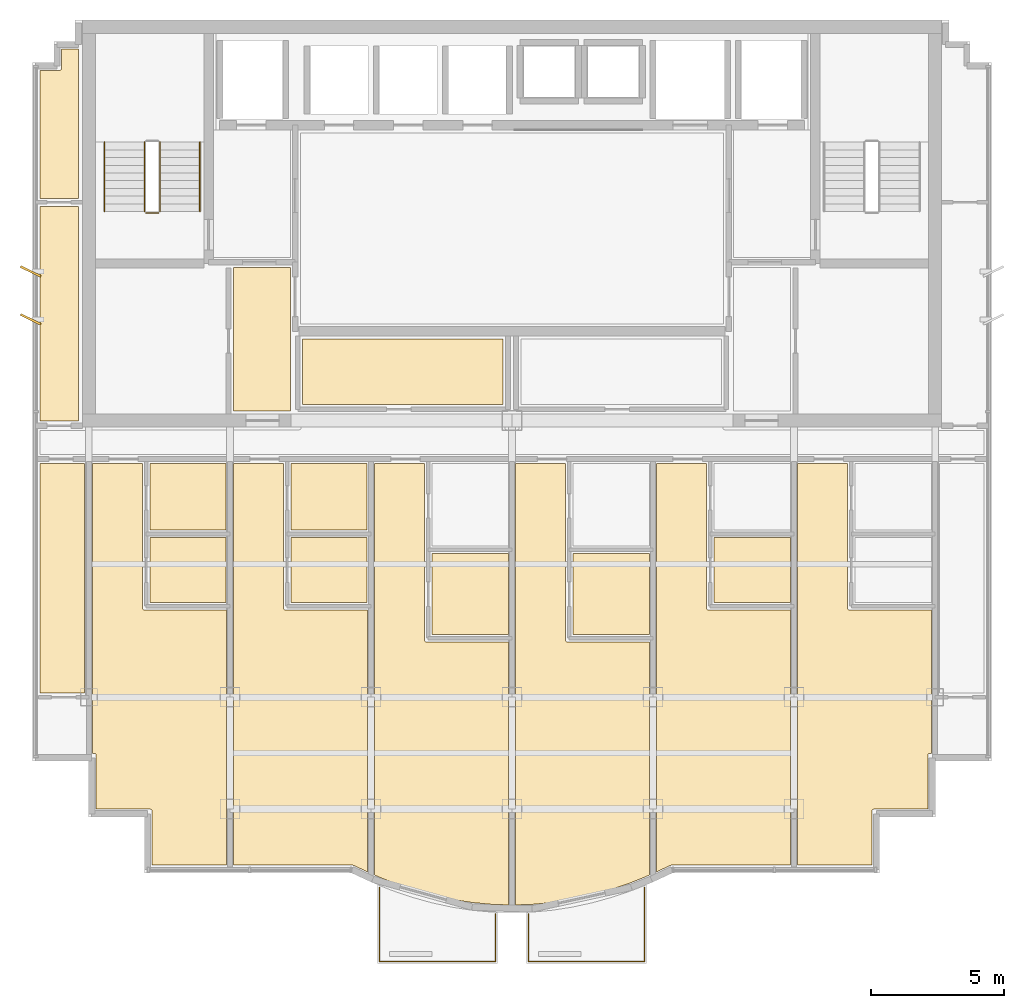
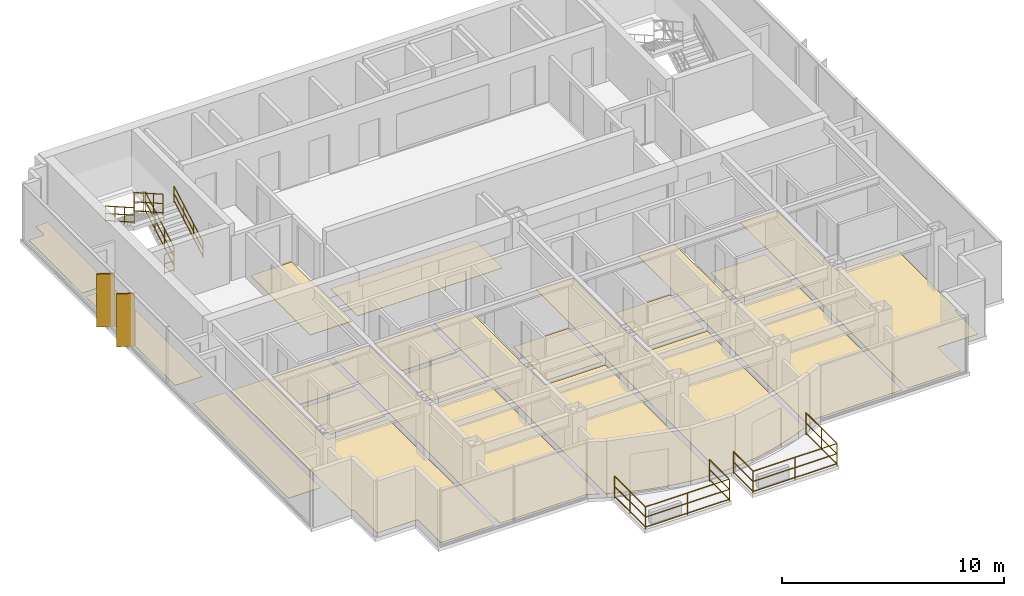
# One storey, part 9 of 10: 18 coverings, 7 railings, 2 shading devices.
"""IFC4 building model written with IfcOpenShell, lengths in metres."""

from ifc_helpers import new_model, si_unit, direction, frame, origin, origin_2d, place, context, subcontext, project, spatial, polyline, rectangle, circle, outline, extrude, source, transform, mapped, material, layer, layer_set, type_object, element, save


model = new_model("IFC4")

# Units and contexts
model_context = context("Model", 3, precision=1e-05, world=origin(), true_north=direction((0.0, 1.0)))
body_context = subcontext(model_context, "Body", "Model", "MODEL_VIEW")
ifc_project = project(units=[si_unit("LENGTHUNIT", "METRE"), si_unit("AREAUNIT", "SQUARE_METRE"), si_unit("VOLUMEUNIT", "CUBIC_METRE"), si_unit("PLANEANGLEUNIT", "RADIAN"), si_unit("MASSUNIT", "GRAM", prefix="KILO")], contexts=[model_context])

# Site, building, storey
site_placement = place(None, origin())
site = spatial("IfcSite", under=ifc_project, at=site_placement, CompositionType="ELEMENT")
building_placement = place(site_placement, origin())
building = spatial("IfcBuilding", under=site, at=building_placement, Name="Qianlan Lanfeng Residences", CompositionType="ELEMENT")
storey_placement = place(building_placement, frame((0.0, 0.0, 236.300048828125)))
storey = spatial("IfcBuildingStorey", under=building, at=storey_placement, Name="L65", CompositionType="ELEMENT", Elevation=236.300048828125)

# Coverings
ifc_material_1 = material(Name="Honed Taitung Granite Stone Flooring", Category="masonry")
ifc_layer_1 = layer(ifc_material_1, 0.030029296875)
ifc_layer_set_1 = layer_set([ifc_layer_1], Name="Honed Taitung Granite Stone Flooring")
covering_type_1 = type_object("IfcCoveringType", Name="FLR-STN-30", PredefinedType="FLOORING", material=ifc_layer_set_1)
covering_1_placement = place(storey_placement, origin())
element("IfcCovering", 1, at=covering_1_placement, inside=storey, type_object=covering_type_1, Name="L65 Lift Lobby Floor Finish", PredefinedType="FLOORING", context=body_context, shape_type="SweptSolid", body=[
    extrude(outline(polyline([(16.030029296875, 25.56005859375), (18.169921875, 25.56005859375), (18.169921875, 30.949951171875), (16.030029296875, 30.949951171875), (16.030029296875, 25.56005859375)])), origin(), (0.0, 0.0, 1.0), 0.030029296875),
])
ifc_material_2 = material(Name="Slip-Resistant Porcelain Tile Flooring")
ifc_layer_2 = layer(ifc_material_2, 0.02001953125)
ifc_layer_set_2 = layer_set([ifc_layer_2], Name="Slip-Resistant Porcelain Tile Flooring")
covering_type_2 = type_object("IfcCoveringType", Name="FLR-TIL-20", PredefinedType="FLOORING", material=ifc_layer_set_2)
covering_2_placement = place(storey_placement, origin())
element("IfcCovering", 2, at=covering_2_placement, inside=storey, type_object=covering_type_2, Name="L65 Kitchen Floor Finish", PredefinedType="FLOORING", context=body_context, shape_type="SweptSolid", body=[
    extrude(outline(polyline([(12.889892578125, 18.360107421875), (15.760009765625, 18.360107421875), (15.760009765625, 20.794921875), (12.889892578125, 20.794921875), (12.889892578125, 18.360107421875)])), origin(), (0.0, 0.0, 1.0), 0.02001953125),
])
covering_3_placement = place(storey_placement, origin())
element("IfcCovering", 3, at=covering_3_placement, inside=storey, type_object=covering_type_2, Name="L65 Bathroom Floor Finish", PredefinedType="FLOORING", context=body_context, shape_type="SweptSolid", body=[
    extrude(outline(polyline([(12.889892578125, 21.074951171875), (15.760009765625, 21.074951171875), (15.760009765625, 23.580078125), (12.889892578125, 23.580078125), (12.889892578125, 21.074951171875)])), origin(), (0.0, 0.0, 1.0), 0.02001953125),
])
covering_4_placement = place(storey_placement, origin())
element("IfcCovering", 4, at=covering_4_placement, inside=storey, type_object=covering_type_2, Name="L65 Kitchen Floor Finish", PredefinedType="FLOORING", context=body_context, shape_type="SweptSolid", body=[
    extrude(outline(polyline([(18.18994140625, 18.360107421875), (21.06005859375, 18.360107421875), (21.06005859375, 20.794921875), (18.18994140625, 20.794921875), (18.18994140625, 18.360107421875)])), origin(), (0.0, 0.0, 1.0), 0.02001953125),
])
covering_5_placement = place(storey_placement, origin())
element("IfcCovering", 5, at=covering_5_placement, inside=storey, type_object=covering_type_2, Name="L65 Bathroom Floor Finish", PredefinedType="FLOORING", context=body_context, shape_type="SweptSolid", body=[
    extrude(outline(polyline([(18.18994140625, 21.074951171875), (21.06005859375, 21.074951171875), (21.06005859375, 23.580078125), (18.18994140625, 23.580078125), (18.18994140625, 21.074951171875)])), origin(), (0.0, 0.0, 1.0), 0.02001953125),
])
covering_6_placement = place(storey_placement, origin())
element("IfcCovering", 6, at=covering_6_placement, inside=storey, type_object=covering_type_2, Name="L65 Kitchen Floor Finish", PredefinedType="FLOORING", context=body_context, shape_type="SweptSolid", body=[
    extrude(outline(polyline([(23.489990234375, 17.159912109375), (26.360107421875, 17.159912109375), (26.360107421875, 20.195068359375), (23.489990234375, 20.195068359375), (23.489990234375, 17.159912109375)])), origin(), (0.0, 0.0, 1.0), 0.02001953125),
])
covering_7_placement = place(storey_placement, origin())
element("IfcCovering", 7, at=covering_7_placement, inside=storey, type_object=covering_type_2, Name="L65 Kitchen Floor Finish", PredefinedType="FLOORING", context=body_context, shape_type="SweptSolid", body=[
    extrude(outline(polyline([(28.7900390625, 17.159912109375), (31.659912109375, 17.159912109375), (31.659912109375, 20.195068359375), (28.7900390625, 20.195068359375), (28.7900390625, 17.159912109375)])), origin(), (0.0, 0.0, 1.0), 0.02001953125),
])
covering_8_placement = place(storey_placement, origin())
element("IfcCovering", 8, at=covering_8_placement, inside=storey, type_object=covering_type_2, Name="L65 Kitchen Floor Finish", PredefinedType="FLOORING", context=body_context, shape_type="SweptSolid", body=[
    extrude(outline(polyline([(34.090087890625, 18.360107421875), (36.9599609375, 18.360107421875), (36.9599609375, 20.794921875), (34.090087890625, 20.794921875), (34.090087890625, 18.360107421875)])), origin(), (0.0, 0.0, 1.0), 0.02001953125),
])
ifc_material_3 = material(Name="Engineered Smoked Oak Timber Flooring", Category="wood")
ifc_layer_3 = layer(ifc_material_3, 0.02197265625)
ifc_layer_set_3 = layer_set([ifc_layer_3], Name="Engineered Smoked Oak Timber Flooring")
covering_type_3 = type_object("IfcCoveringType", Name="FLR-TIM-22", PredefinedType="FLOORING", material=ifc_layer_set_3)
covering_9_placement = place(storey_placement, origin())
element("IfcCovering", 9, at=covering_9_placement, inside=storey, type_object=covering_type_3, Name="L65 Resident Reading Lounge Floor Finish", PredefinedType="FLOORING", context=body_context, shape_type="SweptSolid", body=[
    extrude(outline(polyline([(18.6298828125, 25.800048828125), (26.169921875, 25.800048828125), (26.169921875, 28.2548828125), (18.6298828125, 28.2548828125), (18.6298828125, 25.800048828125)])), origin(), (0.0, 0.0, 1.0), 0.02197265625),
])
covering_10_placement = place(storey_placement, origin())
element("IfcCovering", 10, at=covering_10_placement, inside=storey, type_object=covering_type_3, Name="L65 Studio Living Room Floor Finish", PredefinedType="FLOORING", context=body_context, shape_type="SweptSolid", body=[
    extrude(outline(polyline([(15.77001953125, 8.489990234375), (15.77001953125, 18.080078125), (12.679931640625, 18.080078125), (12.673095703125, 18.080078125), (12.666015625, 18.0810546875), (12.659912109375, 18.0830078125), (12.653076171875, 18.0849609375), (12.64697265625, 18.087890625), (12.64111328125, 18.092041015625), (12.635986328125, 18.095947265625), (12.631103515625, 18.10107421875), (12.6259765625, 18.10595703125), (12.6220703125, 18.111083984375), (12.617919921875, 18.116943359375), (12.614990234375, 18.123046875), (12.613037109375, 18.1298828125), (12.611083984375, 18.135986328125), (12.610107421875, 18.14306640625), (12.610107421875, 18.14990234375), (12.610107421875, 23.580078125), (10.72998046875, 23.580078125), (10.72998046875, 12.68994140625), (10.800048828125, 12.68994140625), (10.806884765625, 12.68994140625), (10.81396484375, 12.68896484375), (10.820068359375, 12.68701171875), (10.826904296875, 12.68505859375), (10.8330078125, 12.681884765625), (10.839111328125, 12.677978515625), (10.843994140625, 12.674072265625), (10.84912109375, 12.6689453125), (10.85400390625, 12.6640625), (10.85791015625, 12.658935546875), (10.862060546875, 12.653076171875), (10.864990234375, 12.64697265625), (10.866943359375, 12.639892578125), (10.868896484375, 12.634033203125), (10.8701171875, 12.626953125), (10.8701171875, 12.6201171875), (10.8701171875, 10.590087890625), (12.89990234375, 10.590087890625), (12.906982421875, 10.590087890625), (12.9140625, 10.589111328125), (12.919921875, 10.5869140625), (12.927001953125, 10.5849609375), (12.93310546875, 10.58203125), (12.93896484375, 10.577880859375), (12.944091796875, 10.573974609375), (12.948974609375, 10.569091796875), (12.9541015625, 10.56396484375), (12.9580078125, 10.55908203125), (12.9619140625, 10.552978515625), (12.965087890625, 10.547119140625), (12.967041015625, 10.5400390625), (12.968994140625, 10.533935546875), (12.969970703125, 10.527099609375), (12.969970703125, 10.52001953125), (12.969970703125, 8.489990234375), (15.77001953125, 8.489990234375)])), origin(), (0.0, 0.0, 1.0), 0.02197265625),
])
covering_11_placement = place(storey_placement, origin())
element("IfcCovering", 11, at=covering_11_placement, inside=storey, type_object=covering_type_3, Name="L65 Studio Living Room Floor Finish", PredefinedType="FLOORING", context=body_context, shape_type="SweptSolid", body=[
    extrude(outline(polyline([(21.070068359375, 8.236083984375), (21.070068359375, 18.080078125), (17.97998046875, 18.080078125), (17.972900390625, 18.080078125), (17.966064453125, 18.0810546875), (17.9599609375, 18.0830078125), (17.952880859375, 18.0849609375), (17.947021484375, 18.087890625), (17.94091796875, 18.092041015625), (17.93603515625, 18.095947265625), (17.930908203125, 18.10107421875), (17.926025390625, 18.10595703125), (17.922119140625, 18.111083984375), (17.91796875, 18.116943359375), (17.9150390625, 18.123046875), (17.9130859375, 18.1298828125), (17.910888671875, 18.135986328125), (17.909912109375, 18.14306640625), (17.909912109375, 18.14990234375), (17.909912109375, 23.580078125), (16.030029296875, 23.580078125), (16.030029296875, 8.489990234375), (20.509033203125, 8.489990234375), (20.51611328125, 8.489990234375), (20.52392578125, 8.488037109375), (20.531005859375, 8.486083984375), (20.5380859375, 8.48291015625), (21.070068359375, 8.236083984375)])), origin(), (0.0, 0.0, 1.0), 0.02197265625),
])
covering_12_placement = place(storey_placement, origin())
element("IfcCovering", 12, at=covering_12_placement, inside=storey, type_object=covering_type_3, Name="L65 Studio Living Room Floor Finish", PredefinedType="FLOORING", context=body_context, shape_type="SweptSolid", body=[
    extrude(outline(polyline([(26.3701171875, 6.993896484375), (26.3701171875, 16.8798828125), (23.280029296875, 16.8798828125), (23.27294921875, 16.8798828125), (23.26611328125, 16.881103515625), (23.260009765625, 16.883056640625), (23.2529296875, 16.885009765625), (23.2470703125, 16.887939453125), (23.240966796875, 16.89208984375), (23.236083984375, 16.89599609375), (23.23095703125, 16.90087890625), (23.22607421875, 16.906005859375), (23.221923828125, 16.910888671875), (23.218017578125, 16.9169921875), (23.215087890625, 16.923095703125), (23.212890625, 16.929931640625), (23.2109375, 16.93603515625), (23.2099609375, 16.943115234375), (23.2099609375, 16.949951171875), (23.2099609375, 23.580078125), (21.330078125, 23.580078125), (21.330078125, 8.114013671875), (21.3310546875, 8.114013671875), (22.071044921875, 7.81591796875), (22.81103515625, 7.56298828125), (23.550048828125, 7.35693359375), (24.2880859375, 7.196044921875), (25.02587890625, 7.08203125), (25.762939453125, 7.012939453125), (26.3701171875, 6.993896484375)])), origin(), (0.0, 0.0, 1.0), 0.02197265625),
])
covering_13_placement = place(storey_placement, origin())
element("IfcCovering", 13, at=covering_13_placement, inside=storey, type_object=covering_type_3, Name="L65 Studio Living Room Floor Finish", PredefinedType="FLOORING", context=body_context, shape_type="SweptSolid", body=[
    extrude(outline(polyline([(31.669921875, 8.114013671875), (31.669921875, 16.8798828125), (28.580078125, 16.8798828125), (28.572998046875, 16.8798828125), (28.56591796875, 16.881103515625), (28.56005859375, 16.883056640625), (28.552978515625, 16.885009765625), (28.547119140625, 16.887939453125), (28.541015625, 16.89208984375), (28.535888671875, 16.89599609375), (28.531005859375, 16.90087890625), (28.52587890625, 16.906005859375), (28.52197265625, 16.910888671875), (28.51806640625, 16.9169921875), (28.514892578125, 16.923095703125), (28.512939453125, 16.929931640625), (28.510986328125, 16.93603515625), (28.510009765625, 16.943115234375), (28.510009765625, 16.949951171875), (28.510009765625, 23.580078125), (26.6298828125, 23.580078125), (26.6298828125, 6.993896484375), (27.237060546875, 7.012939453125), (27.97412109375, 7.08203125), (28.7119140625, 7.196044921875), (29.449951171875, 7.35693359375), (30.18896484375, 7.56298828125), (30.928955078125, 7.81591796875), (31.6689453125, 8.114013671875), (31.669921875, 8.114013671875)])), origin(), (0.0, 0.0, 1.0), 0.02197265625),
])
covering_14_placement = place(storey_placement, origin())
element("IfcCovering", 14, at=covering_14_placement, inside=storey, type_object=covering_type_3, Name="L65 Studio Living Room Floor Finish", PredefinedType="FLOORING", context=body_context, shape_type="SweptSolid", body=[
    extrude(outline(polyline([(36.969970703125, 8.489990234375), (36.969970703125, 18.080078125), (33.8798828125, 18.080078125), (33.873046875, 18.080078125), (33.865966796875, 18.0810546875), (33.860107421875, 18.0830078125), (33.85302734375, 18.0849609375), (33.846923828125, 18.087890625), (33.841064453125, 18.092041015625), (33.8359375, 18.095947265625), (33.8310546875, 18.10107421875), (33.825927734375, 18.10595703125), (33.822021484375, 18.111083984375), (33.818115234375, 18.116943359375), (33.81494140625, 18.123046875), (33.81298828125, 18.1298828125), (33.81103515625, 18.135986328125), (33.81005859375, 18.14306640625), (33.81005859375, 18.14990234375), (33.81005859375, 23.580078125), (31.929931640625, 23.580078125), (31.929931640625, 8.236083984375), (32.4619140625, 8.48291015625), (32.468994140625, 8.486083984375), (32.47607421875, 8.488037109375), (32.48388671875, 8.489990234375), (32.490966796875, 8.489990234375), (36.969970703125, 8.489990234375)])), origin(), (0.0, 0.0, 1.0), 0.02197265625),
])
covering_15_placement = place(storey_placement, origin())
element("IfcCovering", 15, at=covering_15_placement, inside=storey, type_object=covering_type_3, Name="L65 Studio Living Room Floor Finish", PredefinedType="FLOORING", context=body_context, shape_type="SweptSolid", body=[
    extrude(outline(polyline([(42.27001953125, 12.68994140625), (42.27001953125, 18.080078125), (39.179931640625, 18.080078125), (39.173095703125, 18.080078125), (39.166015625, 18.0810546875), (39.159912109375, 18.0830078125), (39.153076171875, 18.0849609375), (39.14697265625, 18.087890625), (39.14111328125, 18.092041015625), (39.135986328125, 18.095947265625), (39.131103515625, 18.10107421875), (39.1259765625, 18.10595703125), (39.1220703125, 18.111083984375), (39.117919921875, 18.116943359375), (39.114990234375, 18.123046875), (39.113037109375, 18.1298828125), (39.111083984375, 18.135986328125), (39.110107421875, 18.14306640625), (39.110107421875, 18.14990234375), (39.110107421875, 23.580078125), (37.22998046875, 23.580078125), (37.22998046875, 8.489990234375), (40.030029296875, 8.489990234375), (40.030029296875, 10.52001953125), (40.030029296875, 10.527099609375), (40.031005859375, 10.533935546875), (40.032958984375, 10.5400390625), (40.034912109375, 10.547119140625), (40.0380859375, 10.552978515625), (40.0419921875, 10.55908203125), (40.0458984375, 10.56396484375), (40.051025390625, 10.569091796875), (40.055908203125, 10.573974609375), (40.06103515625, 10.577880859375), (40.06689453125, 10.58203125), (40.072998046875, 10.5849609375), (40.080078125, 10.5869140625), (40.0859375, 10.589111328125), (40.093017578125, 10.590087890625), (40.10009765625, 10.590087890625), (42.1298828125, 10.590087890625), (42.1298828125, 12.6201171875), (42.1298828125, 12.626953125), (42.131103515625, 12.634033203125), (42.133056640625, 12.639892578125), (42.135009765625, 12.64697265625), (42.137939453125, 12.653076171875), (42.14208984375, 12.658935546875), (42.14599609375, 12.6640625), (42.15087890625, 12.6689453125), (42.156005859375, 12.674072265625), (42.160888671875, 12.677978515625), (42.1669921875, 12.681884765625), (42.173095703125, 12.68505859375), (42.179931640625, 12.68701171875), (42.18603515625, 12.68896484375), (42.193115234375, 12.68994140625), (42.199951171875, 12.68994140625), (42.27001953125, 12.68994140625)])), origin(), (0.0, 0.0, 1.0), 0.02197265625),
])
covering_16_placement = place(storey_placement, origin())
element("IfcCovering", 16, at=covering_16_placement, inside=storey, type_object=covering_type_3, Name="L65 Family Sitting Room Floor Finish", PredefinedType="FLOORING", context=body_context, shape_type="SweptSolid", body=[
    extrude(outline(polyline([(10.43994140625, 23.580078125), (8.77001953125, 23.580078125), (8.77001953125, 14.949951171875), (10.43994140625, 14.949951171875), (10.43994140625, 23.580078125)])), origin(), (0.0, 0.0, 1.0), 0.02197265625),
])
covering_17_placement = place(storey_placement, origin())
element("IfcCovering", 17, at=covering_17_placement, inside=storey, type_object=covering_type_3, Name="L65 Business Meeting Room Floor Finish", PredefinedType="FLOORING", context=body_context, shape_type="SweptSolid", body=[
    extrude(outline(polyline([(10.199951171875, 33.25), (8.77001953125, 33.25), (8.77001953125, 25.179931640625), (10.199951171875, 25.179931640625), (10.199951171875, 33.25)])), origin(), (0.0, 0.0, 1.0), 0.02197265625),
])
covering_18_placement = place(storey_placement, origin())
element("IfcCovering", 18, at=covering_18_placement, inside=storey, type_object=covering_type_3, Name="L65 Resident Lounge Floor Finish", PredefinedType="FLOORING", context=body_context, shape_type="SweptSolid", body=[
    extrude(outline(polyline([(8.77001953125, 33.550048828125), (10.199951171875, 33.550048828125), (10.199951171875, 39.159912109375), (9.570068359375, 39.159912109375), (9.570068359375, 38.429931640625), (9.570068359375, 38.423095703125), (9.569091796875, 38.416015625), (9.56689453125, 38.409912109375), (9.56494140625, 38.403076171875), (9.56201171875, 38.39697265625), (9.55810546875, 38.39111328125), (9.553955078125, 38.385986328125), (9.549072265625, 38.381103515625), (9.5439453125, 38.3759765625), (9.5390625, 38.3720703125), (9.532958984375, 38.367919921875), (9.527099609375, 38.364990234375), (9.52001953125, 38.363037109375), (9.513916015625, 38.361083984375), (9.507080078125, 38.360107421875), (9.5, 38.360107421875), (8.77001953125, 38.360107421875), (8.77001953125, 33.550048828125)])), origin(), (0.0, 0.0, 1.0), 0.02197265625),
])

# Railings
ifc_material_4 = material(Name="Anodised Bronze Aluminium and Laminated Glass Guard Balustrade", Category="aluminium")
railing_type_1 = type_object("IfcRailingType", Name="GR-EXT-1220", PredefinedType="BALUSTRADE", material=ifc_material_4)
railing_1_placement = place(storey_placement, frame((25.8798828125, 6.64892578125, 0.0)))
element("IfcRailing", 19, at=railing_1_placement, inside=storey, type_object=railing_type_1, Name="L65 Terrace Safety Guard GR-L65-SB-W", PredefinedType="BALUSTRADE", context=body_context, shape_type="SweptSolid", body=[
    extrude(circle(Radius=0.02490234375, at=origin_2d()), frame((0.0, 0.0, 0.0849609375), z_axis=(0.0, -1.0, 0.0), x_axis=(1.0, 0.0, 0.0)), (0.0, 0.0, 1.0), 1.77880859375),
    extrude(circle(Radius=0.02490234375, at=origin_2d()), frame((0.0, 0.0, 0.63427734375), z_axis=(0.0, -1.0, 0.0), x_axis=(1.0, 0.0, 0.0)), (0.0, 0.0, 1.0), 1.77880859375),
    extrude(circle(Radius=0.02490234375, at=origin_2d()), frame((0.0, 0.0, 1.19482421875), z_axis=(0.0, -1.0, 0.0), x_axis=(1.0, 0.0, 0.0)), (0.0, 0.0, 1.0), 1.77880859375),
    extrude(circle(Radius=0.02490234375, at=origin_2d()), frame((0.0, -1.77880859375, 0.0849609375), z_axis=(-1.0, 0.0, 0.0), x_axis=(0.0, -1.0, 0.0)), (0.0, 0.0, 1.0), 4.35986328125),
    extrude(circle(Radius=0.02490234375, at=origin_2d()), frame((0.0, -1.77880859375, 0.63427734375), z_axis=(-1.0, 0.0, 0.0), x_axis=(0.0, -1.0, 0.0)), (0.0, 0.0, 1.0), 4.35986328125),
    extrude(circle(Radius=0.02490234375, at=origin_2d()), frame((0.0, -1.77880859375, 1.19482421875), z_axis=(-1.0, 0.0, 0.0), x_axis=(0.0, -1.0, 0.0)), (0.0, 0.0, 1.0), 4.35986328125),
    extrude(circle(Radius=0.02490234375, at=origin_2d()), frame((-4.35986328125, -1.77880859375, 0.0849609375), z_axis=(0.0, 1.0, 0.0), x_axis=(-1.0, 0.0, 0.0)), (0.0, 0.0, 1.0), 2.77880859375),
    extrude(circle(Radius=0.02490234375, at=origin_2d()), frame((-4.35986328125, -1.77880859375, 0.63427734375), z_axis=(0.0, 1.0, 0.0), x_axis=(-1.0, 0.0, 0.0)), (0.0, 0.0, 1.0), 2.77880859375),
    extrude(circle(Radius=0.02490234375, at=origin_2d()), frame((-4.35986328125, -1.77880859375, 1.19482421875), z_axis=(0.0, 1.0, 0.0), x_axis=(-1.0, 0.0, 0.0)), (0.0, 0.0, 1.0), 2.77880859375),
    extrude(circle(Radius=0.02099609375, at=origin_2d()), origin(), (0.0, 0.0, 1.0), 1.169921875),
    extrude(circle(Radius=0.02099609375, at=origin_2d()), frame((0.0, -1.77880859375, 0.0)), (0.0, 0.0, 1.0), 1.169921875),
    extrude(circle(Radius=0.02099609375, at=origin_2d()), frame((-2.179931640625, -1.77880859375, 0.0)), (0.0, 0.0, 1.0), 1.169921875),
    extrude(circle(Radius=0.02099609375, at=origin_2d()), frame((-4.35986328125, -1.77880859375, 0.0)), (0.0, 0.0, 1.0), 1.169921875),
    extrude(circle(Radius=0.02099609375, at=origin_2d()), frame((-4.35986328125, -0.389404296875, 0.0)), (0.0, 0.0, 1.0), 1.169921875),
    extrude(circle(Radius=0.02099609375, at=origin_2d()), frame((-4.35986328125, 1.0, 0.0)), (0.0, 0.0, 1.0), 1.169921875),
])
railing_2_placement = place(storey_placement, frame((31.47998046875, 7.64892578125, 0.0)))
element("IfcRailing", 20, at=railing_2_placement, inside=storey, type_object=railing_type_1, Name="L65 Terrace Safety Guard GR-L65-SB-E", PredefinedType="BALUSTRADE", context=body_context, shape_type="SweptSolid", body=[
    extrude(circle(Radius=0.02490234375, at=origin_2d()), frame((0.0, 0.0, 0.0849609375), z_axis=(0.0, -1.0, 0.0), x_axis=(1.0, 0.0, 0.0)), (0.0, 0.0, 1.0), 2.77880859375),
    extrude(circle(Radius=0.02490234375, at=origin_2d()), frame((0.0, 0.0, 0.63427734375), z_axis=(0.0, -1.0, 0.0), x_axis=(1.0, 0.0, 0.0)), (0.0, 0.0, 1.0), 2.77880859375),
    extrude(circle(Radius=0.02490234375, at=origin_2d()), frame((0.0, 0.0, 1.19482421875), z_axis=(0.0, -1.0, 0.0), x_axis=(1.0, 0.0, 0.0)), (0.0, 0.0, 1.0), 2.77880859375),
    extrude(circle(Radius=0.02490234375, at=origin_2d()), frame((0.0, -2.77880859375, 0.0849609375), z_axis=(-1.0, 0.0, 0.0), x_axis=(0.0, -1.0, 0.0)), (0.0, 0.0, 1.0), 4.35986328125),
    extrude(circle(Radius=0.02490234375, at=origin_2d()), frame((0.0, -2.77880859375, 0.63427734375), z_axis=(-1.0, 0.0, 0.0), x_axis=(0.0, -1.0, 0.0)), (0.0, 0.0, 1.0), 4.35986328125),
    extrude(circle(Radius=0.02490234375, at=origin_2d()), frame((0.0, -2.77880859375, 1.19482421875), z_axis=(-1.0, 0.0, 0.0), x_axis=(0.0, -1.0, 0.0)), (0.0, 0.0, 1.0), 4.35986328125),
    extrude(circle(Radius=0.02490234375, at=origin_2d()), frame((-4.35986328125, -2.77880859375, 0.0849609375), z_axis=(0.0, 1.0, 0.0), x_axis=(-1.0, 0.0, 0.0)), (0.0, 0.0, 1.0), 1.77880859375),
    extrude(circle(Radius=0.02490234375, at=origin_2d()), frame((-4.35986328125, -2.77880859375, 0.63427734375), z_axis=(0.0, 1.0, 0.0), x_axis=(-1.0, 0.0, 0.0)), (0.0, 0.0, 1.0), 1.77880859375),
    extrude(circle(Radius=0.02490234375, at=origin_2d()), frame((-4.35986328125, -2.77880859375, 1.19482421875), z_axis=(0.0, 1.0, 0.0), x_axis=(-1.0, 0.0, 0.0)), (0.0, 0.0, 1.0), 1.77880859375),
    extrude(circle(Radius=0.02099609375, at=origin_2d()), origin(), (0.0, 0.0, 1.0), 1.169921875),
    extrude(circle(Radius=0.02099609375, at=origin_2d()), frame((0.0, -1.389404296875, 0.0)), (0.0, 0.0, 1.0), 1.169921875),
    extrude(circle(Radius=0.02099609375, at=origin_2d()), frame((0.0, -2.77880859375, 0.0)), (0.0, 0.0, 1.0), 1.169921875),
    extrude(circle(Radius=0.02099609375, at=origin_2d()), frame((-2.179931640625, -2.77880859375, 0.0)), (0.0, 0.0, 1.0), 1.169921875),
    extrude(circle(Radius=0.02099609375, at=origin_2d()), frame((-4.35986328125, -2.77880859375, 0.0)), (0.0, 0.0, 1.0), 1.169921875),
    extrude(circle(Radius=0.02099609375, at=origin_2d()), frame((-4.35986328125, -1.0, 0.0)), (0.0, 0.0, 1.0), 1.169921875),
])
ifc_material_5 = material(Name="Painted Galvanised Steel Guardrail", Category="steel")
railing_type_2 = type_object("IfcRailingType", Name="GR-ST-1120", PredefinedType="GUARDRAIL", material=ifc_material_5)
railing_3_placement = place(storey_placement, frame((13.27001953125, 33.050048828125, 0.1650390625)))
element("IfcRailing", 21, at=railing_3_placement, inside=storey, type_object=railing_type_2, Name="L65 ST-1 stair guard 1", PredefinedType="GUARDRAIL", context=body_context, shape_type="SweptSolid", body=[
    extrude(circle(Radius=0.02392578125, at=origin_2d()), frame((0.0, 0.0, 0.083984375), z_axis=(0.0, 0.869172267526, 0.494509422927), x_axis=(-1.0, 0.0, 0.0)), (0.0, 0.0, 1.0), 3.002685546875),
    extrude(circle(Radius=0.02392578125, at=origin_2d()), frame((0.0, 0.0, 0.58251953125), z_axis=(0.0, 0.869172267526, 0.494509422927), x_axis=(-1.0, 0.0, 0.0)), (0.0, 0.0, 1.0), 3.002685546875),
    extrude(circle(Radius=0.02392578125, at=origin_2d()), frame((0.0, 0.0, 1.09619140625), z_axis=(0.0, 0.869172267526, 0.494509422927), x_axis=(-1.0, 0.0, 0.0)), (0.0, 0.0, 1.0), 3.002685546875),
    extrude(circle(Radius=0.02099609375, at=origin_2d()), origin(), (0.0, 0.0, 1.0), 1.072021484375),
    extrude(circle(Radius=0.02099609375, at=origin_2d()), frame((0.0, 0.869873046875, 0.494873046875)), (0.0, 0.0, 1.0), 1.072021484375),
    extrude(circle(Radius=0.02099609375, at=origin_2d()), frame((0.0, 1.739990234375, 0.989990234375)), (0.0, 0.0, 1.0), 1.072021484375),
    extrude(circle(Radius=0.02099609375, at=origin_2d()), frame((0.0, 2.60986328125, 1.48486328125)), (0.0, 0.0, 1.0), 1.072021484375),
])
railing_4_placement = place(storey_placement, frame((12.68994140625, 35.659912109375, 1.81494140625)))
element("IfcRailing", 22, at=railing_4_placement, inside=storey, type_object=railing_type_2, Name="L65 ST-1 stair guard 3", PredefinedType="GUARDRAIL", context=body_context, shape_type="SweptSolid", body=[
    extrude(circle(Radius=0.02392578125, at=origin_2d()), frame((0.0, 0.0, 0.083984375), z_axis=(0.0, -0.869137319866, 0.494570843475), x_axis=(1.0, 0.0, 0.0)), (0.0, 0.0, 1.0), 3.0029296875),
    extrude(circle(Radius=0.02392578125, at=origin_2d()), frame((0.0, 0.0, 0.58251953125), z_axis=(0.0, -0.869137319866, 0.494570843475), x_axis=(1.0, 0.0, 0.0)), (0.0, 0.0, 1.0), 3.0029296875),
    extrude(circle(Radius=0.02392578125, at=origin_2d()), frame((0.0, 0.0, 1.09619140625), z_axis=(0.0, -0.869137319866, 0.494570843475), x_axis=(1.0, 0.0, 0.0)), (0.0, 0.0, 1.0), 3.0029296875),
    extrude(circle(Radius=0.02099609375, at=origin_2d()), origin(), (0.0, 0.0, 1.0), 1.072021484375),
    extrude(circle(Radius=0.02099609375, at=origin_2d()), frame((0.0, -0.869873046875, 0.4951171875)), (0.0, 0.0, 1.0), 1.072021484375),
    extrude(circle(Radius=0.02099609375, at=origin_2d()), frame((0.0, -1.739990234375, 0.989990234375)), (0.0, 0.0, 1.0), 1.072021484375),
    extrude(circle(Radius=0.02099609375, at=origin_2d()), frame((0.0, -2.60986328125, 1.485107421875)), (0.0, 0.0, 1.0), 1.072021484375),
])
railing_5_placement = place(storey_placement, frame((13.219970703125, 33.0, 0.0)))
element("IfcRailing", 23, at=railing_5_placement, inside=storey, type_object=railing_type_2, Name="L65 ST-1 stair guard 4", PredefinedType="GUARDRAIL", context=body_context, shape_type="SweptSolid", body=[
    extrude(circle(Radius=0.02392578125, at=origin_2d()), frame((0.0, 0.0, 0.083984375), z_axis=(-1.0, 0.0, 0.0), x_axis=(0.0, -1.0, 0.0)), (0.0, 0.0, 1.0), 0.47998046875),
    extrude(circle(Radius=0.02392578125, at=origin_2d()), frame((0.0, 0.0, 0.58251953125), z_axis=(-1.0, 0.0, 0.0), x_axis=(0.0, -1.0, 0.0)), (0.0, 0.0, 1.0), 0.47998046875),
    extrude(circle(Radius=0.02392578125, at=origin_2d()), frame((0.0, 0.0, 1.09619140625), z_axis=(-1.0, 0.0, 0.0), x_axis=(0.0, -1.0, 0.0)), (0.0, 0.0, 1.0), 0.47998046875),
    extrude(circle(Radius=0.02099609375, at=origin_2d()), origin(), (0.0, 0.0, 1.0), 1.072021484375),
    extrude(circle(Radius=0.02099609375, at=origin_2d()), frame((-0.47998046875, 0.0, 0.0)), (0.0, 0.0, 1.0), 1.072021484375),
])
ifc_material_6 = material(Name="Brushed Stainless Steel Handrail", Category="steel")
railing_type_3 = type_object("IfcRailingType", Name="HR-ST-920", PredefinedType="HANDRAIL", material=ifc_material_6)
railing_6_placement = place(storey_placement, frame((14.77001953125, 33.050048828125, 0.1650390625)))
element("IfcRailing", 24, at=railing_6_placement, inside=storey, type_object=railing_type_3, Name="L65 ST-1 stair handrail 1", PredefinedType="HANDRAIL", context=body_context, shape_type="SweptSolid", body=[
    extrude(circle(Radius=0.02392578125, at=origin_2d()), frame((0.0, 0.0, 0.083984375), z_axis=(0.0, 0.869172267526, 0.494509422927), x_axis=(-1.0, 0.0, 0.0)), (0.0, 0.0, 1.0), 3.002685546875),
    extrude(circle(Radius=0.02392578125, at=origin_2d()), frame((0.0, 0.0, 0.468017578125), z_axis=(0.0, 0.869172267526, 0.494509422927), x_axis=(-1.0, 0.0, 0.0)), (0.0, 0.0, 1.0), 3.002685546875),
    extrude(circle(Radius=0.02392578125, at=origin_2d()), frame((0.0, 0.0, 0.8759765625), z_axis=(0.0, 0.869172267526, 0.494509422927), x_axis=(-1.0, 0.0, 0.0)), (0.0, 0.0, 1.0), 3.002685546875),
    extrude(circle(Radius=0.02099609375, at=origin_2d()), origin(), (0.0, 0.0, 1.0), 0.851806640625),
    extrude(circle(Radius=0.02099609375, at=origin_2d()), frame((0.0, 0.869873046875, 0.494873046875)), (0.0, 0.0, 1.0), 0.851806640625),
    extrude(circle(Radius=0.02099609375, at=origin_2d()), frame((0.0, 1.739990234375, 0.989990234375)), (0.0, 0.0, 1.0), 0.851806640625),
    extrude(circle(Radius=0.02099609375, at=origin_2d()), frame((0.0, 2.60986328125, 1.48486328125)), (0.0, 0.0, 1.0), 0.851806640625),
])
railing_7_placement = place(storey_placement, frame((11.18994140625, 35.659912109375, 1.81494140625)))
element("IfcRailing", 25, at=railing_7_placement, inside=storey, type_object=railing_type_3, Name="L65 ST-1 stair handrail 2", PredefinedType="HANDRAIL", context=body_context, shape_type="SweptSolid", body=[
    extrude(circle(Radius=0.02392578125, at=origin_2d()), frame((0.0, 0.0, 0.083984375), z_axis=(0.0, -0.869137319866, 0.494570843475), x_axis=(1.0, 0.0, 0.0)), (0.0, 0.0, 1.0), 3.0029296875),
    extrude(circle(Radius=0.02392578125, at=origin_2d()), frame((0.0, 0.0, 0.468017578125), z_axis=(0.0, -0.869137319866, 0.494570843475), x_axis=(1.0, 0.0, 0.0)), (0.0, 0.0, 1.0), 3.0029296875),
    extrude(circle(Radius=0.02392578125, at=origin_2d()), frame((0.0, 0.0, 0.8759765625), z_axis=(0.0, -0.869137319866, 0.494570843475), x_axis=(1.0, 0.0, 0.0)), (0.0, 0.0, 1.0), 3.0029296875),
    extrude(circle(Radius=0.02099609375, at=origin_2d()), origin(), (0.0, 0.0, 1.0), 0.851806640625),
    extrude(circle(Radius=0.02099609375, at=origin_2d()), frame((0.0, -0.869873046875, 0.4951171875)), (0.0, 0.0, 1.0), 0.851806640625),
    extrude(circle(Radius=0.02099609375, at=origin_2d()), frame((0.0, -1.739990234375, 0.989990234375)), (0.0, 0.0, 1.0), 0.851806640625),
    extrude(circle(Radius=0.02099609375, at=origin_2d()), frame((0.0, -2.60986328125, 1.485107421875)), (0.0, 0.0, 1.0), 0.851806640625),
])

# Shading devices
ifc_material_7 = material(Name="Anodised Bronze Aluminium Solar Fin", Category="aluminium")
shading_device_type = type_object("IfcShadingDeviceType", Name="FIN-BRZ-850", PredefinedType="SHUTTER", material=ifc_material_7)
shared_shape = source(origin(), body_context, "Body", "SweptSolid", [
    extrude(rectangle(XDim=0.85009765625, YDim=0.080078125, at=origin_2d()), origin(), (0.0, 0.0, 1.0), 2.89990234375),
])
for number, where, z_axis, x_axis, name in (
    (26, (8.409912109375, 29.0, 0.0), (0.0, 0.0, 1.0), (0.898794046299, -0.438371146789, 0.0), "L65 Raked Bronze Solar Fin W1"),
    (27, (8.409912109375, 30.800048828125, 0.0), (0.0, 0.0, 1.0), (0.898794046299, -0.438371146789, 0.0), "L65 Raked Bronze Solar Fin W2"),
):
    element("IfcShadingDevice", number, at=place(storey_placement, frame(where, z_axis=z_axis, x_axis=x_axis)), inside=storey, type_object=shading_device_type, Name=name, PredefinedType="SHUTTER", context=body_context, shape_type="MappedRepresentation", body=[
        mapped(shared_shape, transform((0.0, 0.0, 0.0), scale=1.0)),
    ])

save(model, "model.ifc")
